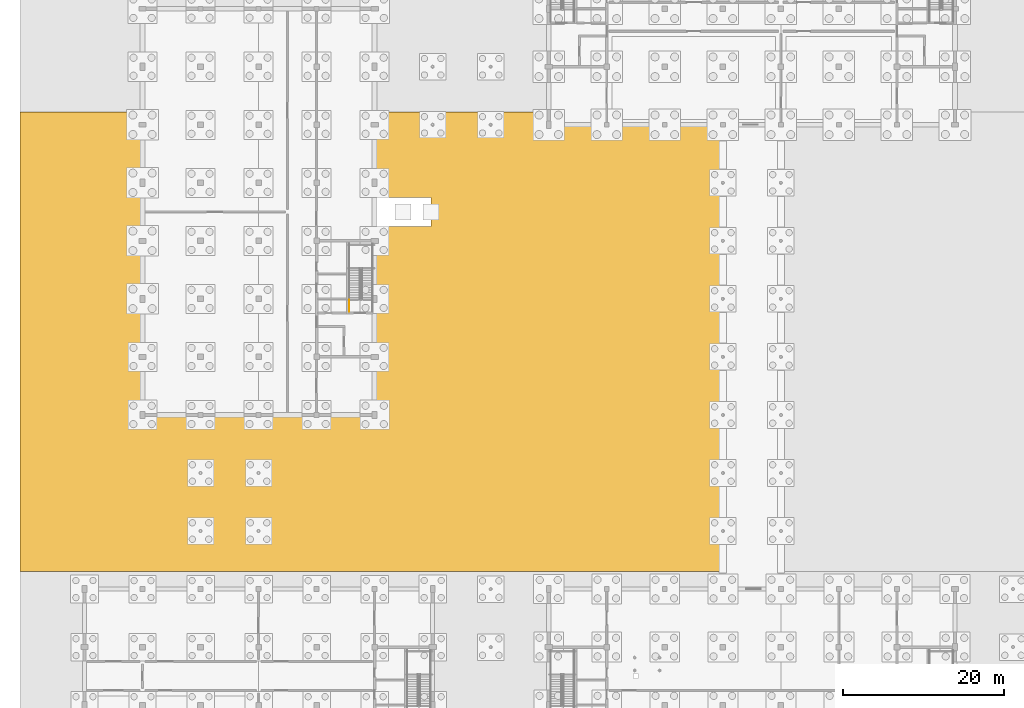
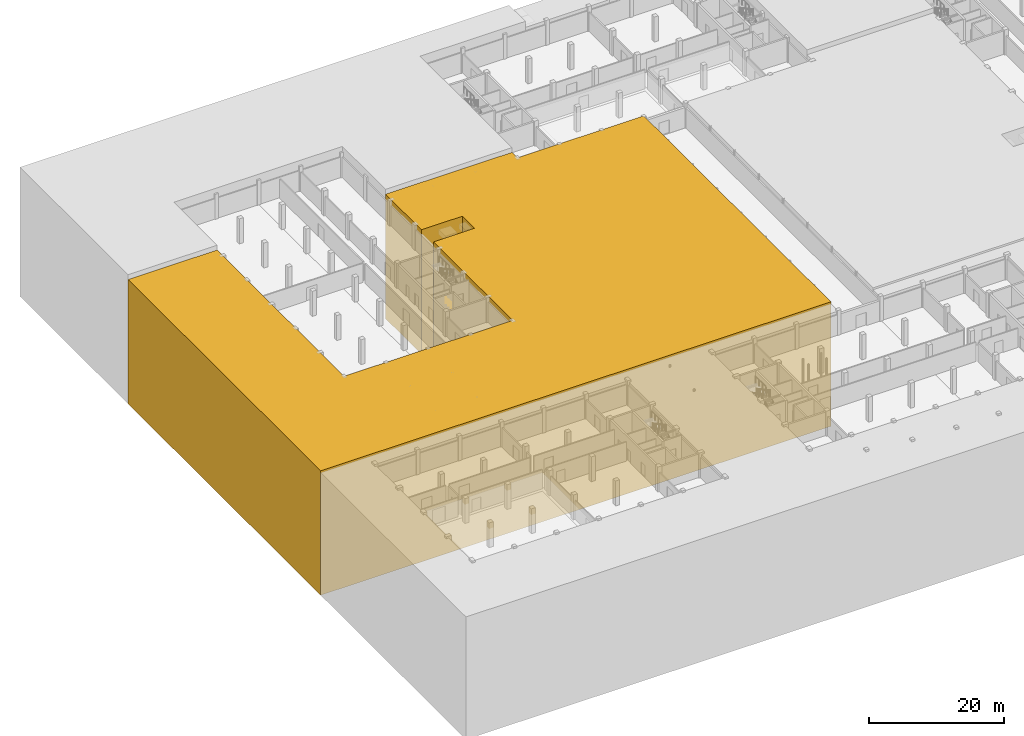
# One storey, part 41 of 51: 1 covering, 1 railing.
"""IFC4 building model written with IfcOpenShell, lengths in metres."""

from ifc_helpers import new_model, si_unit, direction, frame, origin, origin_2d, place, context, subcontext, project, spatial, polyline, circle, outline, extrude, material, layer, layer_set, type_object, element, save


model = new_model("IFC4")

# Units and contexts
model_context = context("Model", 3, precision=1e-05, world=origin(), true_north=direction((0.0, 1.0)))
body_context = subcontext(model_context, "Body", "Model", "MODEL_VIEW")
ifc_project = project(units=[si_unit("LENGTHUNIT", "METRE"), si_unit("AREAUNIT", "SQUARE_METRE"), si_unit("VOLUMEUNIT", "CUBIC_METRE"), si_unit("PLANEANGLEUNIT", "RADIAN"), si_unit("MASSUNIT", "GRAM", prefix="KILO")], contexts=[model_context])

# Site, building, storey
site_placement = place(None, origin())
site = spatial("IfcSite", under=ifc_project, at=site_placement, CompositionType="ELEMENT")
building_placement = place(site_placement, origin())
building = spatial("IfcBuilding", under=site, at=building_placement, Name="Zlatovets Crest Museum", CompositionType="ELEMENT")
storey_placement = place(building_placement, frame((0.0, 0.0, -4.5)))
storey = spatial("IfcBuildingStorey", under=building, at=storey_placement, Name="B1", CompositionType="ELEMENT", Elevation=-4.5)

# Covering
ifc_material_1 = material(Name="Bush-hammered Vratsa stone court paving", Category="masonry")
ifc_layer = layer(ifc_material_1, 0.080078125)
ifc_layer_set = layer_set([ifc_layer], Name="Bush-hammered Vratsa stone court paving")
covering_type = type_object("IfcCoveringType", Name="SitePaving_PV01", PredefinedType="USERDEFINED", material=ifc_layer_set)
covering_placement = place(storey_placement, frame((0.0, 0.0, -18.0)))
element("IfcCovering", 1, at=covering_placement, inside=storey, type_object=covering_type, Name="Stepped Vratsa Stone Hillside Plinth CENTRAL-COURT", ObjectType="PAVING", PredefinedType="USERDEFINED", context=body_context, shape_type="SweptSolid", body=[
    extrude(outline(polyline([(57.60009765625, 86.39990234375), (79.199951171875, 86.39990234375), (79.199951171875, 31.0), (-8.0, 31.0), (-8.0, 88.0), (7.199951171875, 88.0), (7.199951171875, 50.39990234375), (36.0, 50.39990234375), (36.0, 73.800048828125), (43.0, 73.800048828125), (43.0, 77.39990234375), (36.0, 77.39990234375), (36.0, 88.0), (57.60009765625, 88.0), (57.60009765625, 86.39990234375)])), origin(), (0.0, 0.0, 1.0), 22.47998046875),
])

# Railing
ifc_material_2 = material(Name="Painted steel safety guardrail", Category="steel")
railing_type = type_object("IfcRailingType", Name="StairGuard_SG01", PredefinedType="GUARDRAIL", material=ifc_material_2)
railing_placement = place(storey_placement, frame((32.85009765625, 63.199951171875, 0.0)))
element("IfcRailing", 2, at=railing_placement, inside=storey, type_object=railing_type, Name="B1 ST4 stair guard 8", PredefinedType="GUARDRAIL", context=body_context, shape_type="SweptSolid", body=[
    extrude(circle(Radius=0.02392578125, at=origin_2d()), frame((0.0, 0.0, 1.076171875), z_axis=(0.0, 1.0, 0.0), x_axis=(-1.0, 0.0, 0.0)), (0.0, 0.0, 1.0), 1.5),
    extrude(circle(Radius=0.02099609375, at=origin_2d()), origin(), (0.0, 0.0, 1.0), 1.052001953125),
    extrude(circle(Radius=0.02099609375, at=origin_2d()), frame((0.0, 0.75, 0.0)), (0.0, 0.0, 1.0), 1.052001953125),
    extrude(circle(Radius=0.02099609375, at=origin_2d()), frame((0.0, 1.5, 0.0)), (0.0, 0.0, 1.0), 1.052001953125),
])

save(model, "model.ifc")
